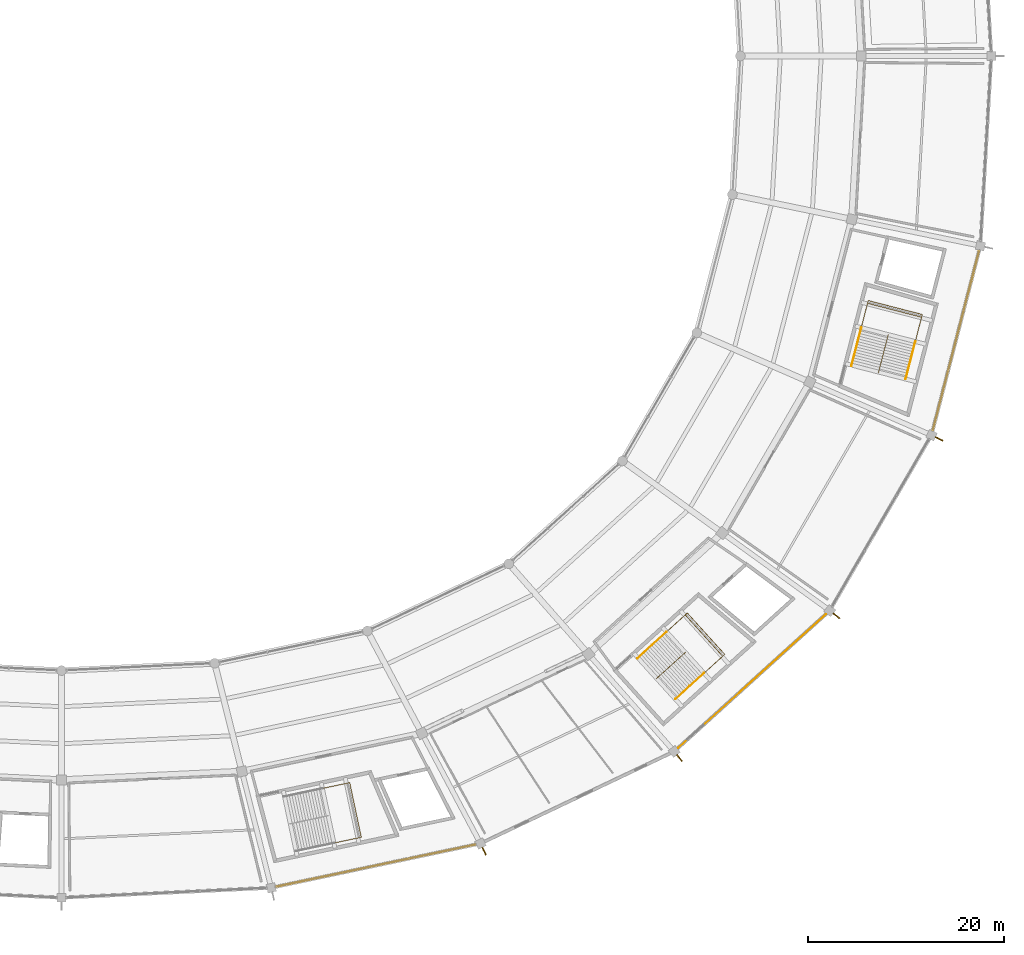
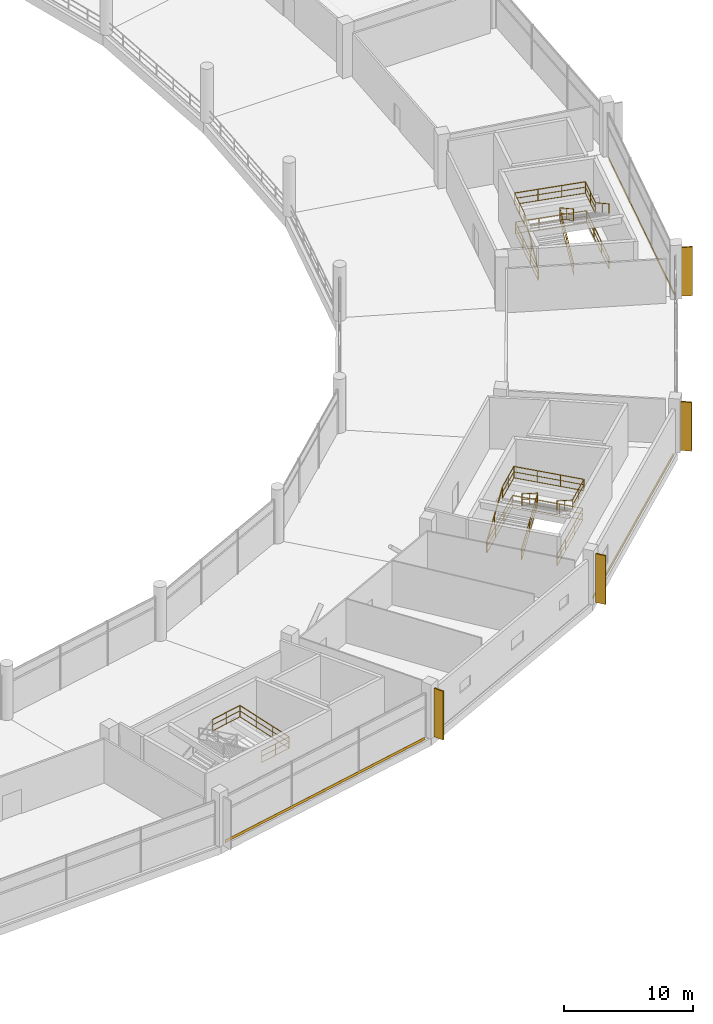
# One storey, part 180 of 184: 11 railings, 4 shading devices, 3 coverings.
"""IFC4 building model written with IfcOpenShell, lengths in metres."""

from ifc_helpers import new_model, si_unit, direction, frame, origin, origin_2d, place, context, subcontext, project, spatial, rectangle, extrude, material, layer, layer_set, type_object, element, save


model = new_model("IFC4")

# Units and contexts
model_context = context("Model", 3, precision=1e-05, world=origin(), true_north=direction((0.0, 1.0)))
body_context = subcontext(model_context, "Body", "Model", "MODEL_VIEW")
ifc_project = project(units=[si_unit("LENGTHUNIT", "METRE"), si_unit("AREAUNIT", "SQUARE_METRE"), si_unit("VOLUMEUNIT", "CUBIC_METRE"), si_unit("PLANEANGLEUNIT", "RADIAN"), si_unit("MASSUNIT", "GRAM", prefix="KILO")], contexts=[model_context])

# Site, building, storey
site_placement = place(None, origin())
site = spatial("IfcSite", under=ifc_project, at=site_placement, CompositionType="ELEMENT")
building_placement = place(site_placement, origin())
building = spatial("IfcBuilding", under=site, at=building_placement, Name="Kazemori Nagisa Stadium", CompositionType="ELEMENT")
storey_placement = place(building_placement, frame((0.0, 0.0, 10.5400390625)))
storey = spatial("IfcBuildingStorey", under=building, at=storey_placement, Name="L02", CompositionType="ELEMENT", Elevation=10.5400390625)

# Coverings
ifc_material_1 = material(Name="Anodised aluminium 6063-T5", Category="aluminium")
ifc_layer = layer(ifc_material_1, 0.034912109375, Name="Anodised aluminium 6063-T5", Category="aluminium")
ifc_layer_set = layer_set([ifc_layer], Name="Anodised aluminium 6063-T5")
covering_type = type_object("IfcCoveringType", Name="Covering_CLAD", PredefinedType="CLADDING", material=ifc_layer_set)
covering_1_placement = place(storey_placement, frame((155.1162109375, 19.2744140625, -0.26025390625), z_axis=(0.0, 0.0, 1.0), x_axis=(0.978344955407, 0.206981033502, 0.0)))
element("IfcCovering", 1, at=covering_1_placement, inside=storey, type_object=covering_type, Name="Anodised fascia cladding L02-B23", PredefinedType="CLADDING", context=body_context, shape_type="SweptSolid", body=[
    extrude(rectangle(XDim=20.750244140625, YDim=0.0400390625, at=origin_2d()), origin(), (0.0, 0.0, 1.0), 0.260009765625),
])
covering_2_placement = place(storey_placement, frame((193.546630859375, 38.13671875, -0.26025390625), z_axis=(0.0, 0.0, 1.0), x_axis=(0.741350875443, 0.671117634607, 0.0)))
element("IfcCovering", 2, at=covering_2_placement, inside=storey, type_object=covering_type, Name="Anodised fascia cladding L02-B25", PredefinedType="CLADDING", context=body_context, shape_type="SweptSolid", body=[
    extrude(rectangle(XDim=20.34375, YDim=0.0400390625, at=origin_2d()), origin(), (0.0, 0.0, 1.0), 0.260009765625),
])
covering_3_placement = place(storey_placement, frame((214.3828125, 72.92626953125, -0.26025390625), z_axis=(0.0, 0.0, 1.0), x_axis=(0.249964642418, 0.968254965152, 0.0)))
element("IfcCovering", 3, at=covering_3_placement, inside=storey, type_object=covering_type, Name="Anodised fascia cladding L02-B27", PredefinedType="CLADDING", context=body_context, shape_type="SweptSolid", body=[
    extrude(rectangle(XDim=18.88623046875, YDim=0.0400390625, at=origin_2d()), origin(), (0.0, 0.0, 1.0), 0.260009765625),
])

# Shading devices
ifc_material_2 = material(Name="Aluminium 6063-T5 anodised", Category="aluminium")
shading_device_type = type_object("IfcShadingDeviceType", Name="Fin_FN02", PredefinedType="USERDEFINED", material=ifc_material_2)
for number, where, z_axis, x_axis, name in (
    (4, (166.17578125, 20.765380859375, 0.0), (0.0, 0.0, 1.0), (0.433883739113, -0.900968867905, 0.0), "Aerodynamic wave shading fin L02-24"),
    (5, (186.131103515625, 30.2724609375, 0.0), (0.0, 0.0, 1.0), (0.623489801853, -0.781831482473, 0.0), "Aerodynamic wave shading fin L02-25"),
    (6, (202.163818359375, 44.79931640625, 0.0), (0.0, 0.0, 1.0), (0.781831482473, -0.623489801853, 0.0), "Aerodynamic wave shading fin L02-26"),
    (7, (212.6552734375, 62.87939453125, 0.0), (0.0, 0.0, 1.0), (0.900968867905, -0.433883739113, 0.0), "Aerodynamic wave shading fin L02-27"),
):
    element("IfcShadingDevice", number, at=place(storey_placement, frame(where, z_axis=z_axis, x_axis=x_axis)), inside=storey, type_object=shading_device_type, Name=name, ObjectType="FIN", PredefinedType="USERDEFINED", context=body_context, shape_type="SweptSolid", body=[
        extrude(rectangle(XDim=0.85009765625, YDim=0.1201171875, at=origin_2d()), origin(), (0.0, 0.0, 1.0), 4.60009765625),
    ])

# Railings
ifc_material_3 = material(Name="Galvanised powder-coated steel", Category="steel")
railing_type_1 = type_object("IfcRailingType", Name="Rail_GUARD", PredefinedType="GUARDRAIL", material=ifc_material_3)
railing_1_placement = place(storey_placement, frame((149.651123046875, 27.1728515625, 2.550048828125)))
element("IfcRailing", 8, at=railing_1_placement, inside=storey, type_object=railing_type_1, Name="Stair landing guard ST06-L02", PredefinedType="GUARDRAIL", context=body_context, shape_type="SweptSolid", body=[
    extrude(rectangle(XDim=0.050048828125, YDim=0.050048828125, at=origin_2d()), frame((0.0, 0.0, 1.09521484375), z_axis=(0.978349369565, 0.206960167837, 0.0), x_axis=(-0.206960167837, 0.978349369565, 0.0)), (0.0, 0.0, 1.0), 2.85009765625),
    extrude(rectangle(XDim=0.03759765625, YDim=0.03759765625, at=origin_2d()), frame((0.0, 0.0, 0.58251953125), z_axis=(0.978349369565, 0.206960167837, 0.0), x_axis=(-0.206960167837, 0.978349369565, 0.0)), (0.0, 0.0, 1.0), 2.85009765625),
    extrude(rectangle(XDim=0.03759765625, YDim=0.03759765625, at=origin_2d()), frame((0.0, 0.0, 0.02490234375), z_axis=(0.978349369565, 0.206960167837, 0.0), x_axis=(-0.206960167837, 0.978349369565, 0.0)), (0.0, 0.0, 1.0), 2.85009765625),
    extrude(rectangle(XDim=0.050048828125, YDim=0.050048828125, at=origin_2d()), frame((2.788330078125, 0.58984375, 1.09521484375), z_axis=(0.206960167837, -0.978349369565, 0.0), x_axis=(0.978349369565, 0.206960167837, 0.0)), (0.0, 0.0, 1.0), 5.699951171875),
    extrude(rectangle(XDim=0.03759765625, YDim=0.03759765625, at=origin_2d()), frame((2.788330078125, 0.58984375, 0.58251953125), z_axis=(0.206960167837, -0.978349369565, 0.0), x_axis=(0.978349369565, 0.206960167837, 0.0)), (0.0, 0.0, 1.0), 5.699951171875),
    extrude(rectangle(XDim=0.03759765625, YDim=0.03759765625, at=origin_2d()), frame((2.788330078125, 0.58984375, 0.02490234375), z_axis=(0.206960167837, -0.978349369565, 0.0), x_axis=(0.978349369565, 0.206960167837, 0.0)), (0.0, 0.0, 1.0), 5.699951171875),
    extrude(rectangle(XDim=0.050048828125, YDim=0.050048828125, at=origin_2d()), frame((3.968017578125, -4.98681640625, 1.09521484375), z_axis=(-0.978345699972, -0.20697751411, 0.0), x_axis=(0.20697751411, -0.978345699972, 0.0)), (0.0, 0.0, 1.0), 2.849853515625),
    extrude(rectangle(XDim=0.03759765625, YDim=0.03759765625, at=origin_2d()), frame((3.968017578125, -4.98681640625, 0.58251953125), z_axis=(-0.978345699972, -0.20697751411, 0.0), x_axis=(0.20697751411, -0.978345699972, 0.0)), (0.0, 0.0, 1.0), 2.849853515625),
    extrude(rectangle(XDim=0.03759765625, YDim=0.03759765625, at=origin_2d()), frame((3.968017578125, -4.98681640625, 0.02490234375), z_axis=(-0.978345699972, -0.20697751411, 0.0), x_axis=(0.20697751411, -0.978345699972, 0.0)), (0.0, 0.0, 1.0), 2.849853515625),
    extrude(rectangle(XDim=0.044921875, YDim=0.044921875, at=origin_2d()), origin(), (0.0, 0.0, 1.0), 1.070068359375),
    extrude(rectangle(XDim=0.044921875, YDim=0.044921875, at=origin_2d()), frame((1.39404296875, 0.294921875, 0.0)), (0.0, 0.0, 1.0), 1.070068359375),
    extrude(rectangle(XDim=0.044921875, YDim=0.044921875, at=origin_2d()), frame((2.788330078125, 0.58984375, 0.0)), (0.0, 0.0, 1.0), 1.070068359375),
    extrude(rectangle(XDim=0.044921875, YDim=0.044921875, at=origin_2d()), frame((3.181640625, -1.26904296875, 0.0)), (0.0, 0.0, 1.0), 1.070068359375),
    extrude(rectangle(XDim=0.044921875, YDim=0.044921875, at=origin_2d()), frame((3.57470703125, -3.1279296875, 0.0)), (0.0, 0.0, 1.0), 1.070068359375),
    extrude(rectangle(XDim=0.044921875, YDim=0.044921875, at=origin_2d()), frame((3.968017578125, -4.98681640625, 0.0)), (0.0, 0.0, 1.0), 1.070068359375),
    extrude(rectangle(XDim=0.044921875, YDim=0.044921875, at=origin_2d()), frame((2.573974609375, -5.28173828125, 0.0)), (0.0, 0.0, 1.0), 1.070068359375),
    extrude(rectangle(XDim=0.044921875, YDim=0.044921875, at=origin_2d()), frame((1.179931640625, -5.57666015625, 0.0)), (0.0, 0.0, 1.0), 1.070068359375),
])
railing_2_placement = place(storey_placement, frame((181.87890625, 40.5205078125, 0.0)))
element("IfcRailing", 9, at=railing_2_placement, inside=storey, type_object=railing_type_1, Name="Stair well perimeter guard ST04-L02", PredefinedType="GUARDRAIL", context=body_context, shape_type="SweptSolid", body=[
    extrude(rectangle(XDim=0.050048828125, YDim=0.050048828125, at=origin_2d()), frame((0.0, 0.0, 1.09521484375), z_axis=(0.741331867292, 0.671138631385, 0.0), x_axis=(-0.671138631385, 0.741331867292, 0.0)), (0.0, 0.0, 1.0), 6.52490234375),
    extrude(rectangle(XDim=0.03759765625, YDim=0.03759765625, at=origin_2d()), frame((0.0, 0.0, 0.58251953125), z_axis=(0.741331867292, 0.671138631385, 0.0), x_axis=(-0.671138631385, 0.741331867292, 0.0)), (0.0, 0.0, 1.0), 6.52490234375),
    extrude(rectangle(XDim=0.03759765625, YDim=0.03759765625, at=origin_2d()), frame((0.0, 0.0, 0.02490234375), z_axis=(0.741331867292, 0.671138631385, 0.0), x_axis=(-0.671138631385, 0.741331867292, 0.0)), (0.0, 0.0, 1.0), 6.52490234375),
    extrude(rectangle(XDim=0.050048828125, YDim=0.050048828125, at=origin_2d()), frame((4.837158203125, 4.379150390625, 1.09521484375), z_axis=(0.671112926645, -0.74135513736, 0.0), x_axis=(0.74135513736, 0.671112926645, 0.0)), (0.0, 0.0, 1.0), 5.7001953125),
    extrude(rectangle(XDim=0.03759765625, YDim=0.03759765625, at=origin_2d()), frame((4.837158203125, 4.379150390625, 0.58251953125), z_axis=(0.671112926645, -0.74135513736, 0.0), x_axis=(0.74135513736, 0.671112926645, 0.0)), (0.0, 0.0, 1.0), 5.7001953125),
    extrude(rectangle(XDim=0.03759765625, YDim=0.03759765625, at=origin_2d()), frame((4.837158203125, 4.379150390625, 0.02490234375), z_axis=(0.671112926645, -0.74135513736, 0.0), x_axis=(0.74135513736, 0.671112926645, 0.0)), (0.0, 0.0, 1.0), 5.7001953125),
    extrude(rectangle(XDim=0.050048828125, YDim=0.050048828125, at=origin_2d()), frame((8.66259765625, 0.1533203125, 1.09521484375), z_axis=(-0.741367335581, -0.671099451448, 0.0), x_axis=(0.671099451448, -0.741367335581, 0.0)), (0.0, 0.0, 1.0), 6.52490234375),
    extrude(rectangle(XDim=0.03759765625, YDim=0.03759765625, at=origin_2d()), frame((8.66259765625, 0.1533203125, 0.58251953125), z_axis=(-0.741367335581, -0.671099451448, 0.0), x_axis=(0.671099451448, -0.741367335581, 0.0)), (0.0, 0.0, 1.0), 6.52490234375),
    extrude(rectangle(XDim=0.03759765625, YDim=0.03759765625, at=origin_2d()), frame((8.66259765625, 0.1533203125, 0.02490234375), z_axis=(-0.741367335581, -0.671099451448, 0.0), x_axis=(0.671099451448, -0.741367335581, 0.0)), (0.0, 0.0, 1.0), 6.52490234375),
    extrude(rectangle(XDim=0.044921875, YDim=0.044921875, at=origin_2d()), origin(), (0.0, 0.0, 1.0), 1.070068359375),
    extrude(rectangle(XDim=0.044921875, YDim=0.044921875, at=origin_2d()), frame((1.6123046875, 1.459716796875, 0.0)), (0.0, 0.0, 1.0), 1.070068359375),
    extrude(rectangle(XDim=0.044921875, YDim=0.044921875, at=origin_2d()), frame((3.224853515625, 2.91943359375, 0.0)), (0.0, 0.0, 1.0), 1.070068359375),
    extrude(rectangle(XDim=0.044921875, YDim=0.044921875, at=origin_2d()), frame((4.837158203125, 4.379150390625, 0.0)), (0.0, 0.0, 1.0), 1.070068359375),
    extrude(rectangle(XDim=0.044921875, YDim=0.044921875, at=origin_2d()), frame((6.1123046875, 2.970458984375, 0.0)), (0.0, 0.0, 1.0), 1.070068359375),
    extrude(rectangle(XDim=0.044921875, YDim=0.044921875, at=origin_2d()), frame((7.387451171875, 1.56201171875, 0.0)), (0.0, 0.0, 1.0), 1.070068359375),
    extrude(rectangle(XDim=0.044921875, YDim=0.044921875, at=origin_2d()), frame((8.66259765625, 0.1533203125, 0.0)), (0.0, 0.0, 1.0), 1.070068359375),
    extrude(rectangle(XDim=0.044921875, YDim=0.044921875, at=origin_2d()), frame((7.050048828125, -1.306396484375, 0.0)), (0.0, 0.0, 1.0), 1.070068359375),
    extrude(rectangle(XDim=0.044921875, YDim=0.044921875, at=origin_2d()), frame((5.437744140625, -2.765869140625, 0.0)), (0.0, 0.0, 1.0), 1.070068359375),
    extrude(rectangle(XDim=0.044921875, YDim=0.044921875, at=origin_2d()), frame((3.8251953125, -4.2255859375, 0.0)), (0.0, 0.0, 1.0), 1.070068359375),
])
railing_3_placement = place(storey_placement, frame((183.732177734375, 38.35400390625, 0.0)))
element("IfcRailing", 10, at=railing_3_placement, inside=storey, type_object=railing_type_1, Name="Stair central guard ST04-L02", PredefinedType="GUARDRAIL", context=body_context, shape_type="SweptSolid", body=[
    extrude(rectangle(XDim=0.050048828125, YDim=0.050048828125, at=origin_2d()), frame((0.0, 0.0, 1.09521484375), z_axis=(0.62691046186, 0.5675307784, 0.533752834539), x_axis=(-0.671125325747, 0.741343912864, 0.0)), (0.0, 0.0, 1.0), 4.777587890625),
    extrude(rectangle(XDim=0.03759765625, YDim=0.03759765625, at=origin_2d()), frame((0.0, 0.0, 0.58251953125), z_axis=(0.62691046186, 0.5675307784, 0.533752834539), x_axis=(-0.671125325747, 0.741343912864, 0.0)), (0.0, 0.0, 1.0), 4.777587890625),
    extrude(rectangle(XDim=0.03759765625, YDim=0.03759765625, at=origin_2d()), frame((0.0, 0.0, 0.02490234375), z_axis=(0.62691046186, 0.5675307784, 0.533752834539), x_axis=(-0.671125325747, 0.741343912864, 0.0)), (0.0, 0.0, 1.0), 4.777587890625),
    extrude(rectangle(XDim=0.050048828125, YDim=0.050048828125, at=origin_2d()), frame((2.9951171875, 2.71142578125, 3.64501953125), z_axis=(-0.623314113675, -0.564274215506, 0.541363210247), x_axis=(0.671124767853, -0.741344417916, 0.0)), (0.0, 0.0, 1.0), 4.7099609375),
    extrude(rectangle(XDim=0.03759765625, YDim=0.03759765625, at=origin_2d()), frame((2.9951171875, 2.71142578125, 3.132568359375), z_axis=(-0.623314113675, -0.564274215506, 0.541363210247), x_axis=(0.671124767853, -0.741344417916, 0.0)), (0.0, 0.0, 1.0), 4.7099609375),
    extrude(rectangle(XDim=0.03759765625, YDim=0.03759765625, at=origin_2d()), frame((2.9951171875, 2.71142578125, 2.5751953125), z_axis=(-0.623314113675, -0.564274215506, 0.541363210247), x_axis=(0.671124767853, -0.741344417916, 0.0)), (0.0, 0.0, 1.0), 4.7099609375),
    extrude(rectangle(XDim=0.044921875, YDim=0.044921875, at=origin_2d()), origin(), (0.0, 0.0, 1.0), 1.070068359375),
    extrude(rectangle(XDim=0.044921875, YDim=0.044921875, at=origin_2d()), frame((1.49755859375, 1.355712890625, 1.27490234375)), (0.0, 0.0, 1.0), 1.070068359375),
    extrude(rectangle(XDim=0.044921875, YDim=0.044921875, at=origin_2d()), frame((2.9951171875, 2.71142578125, 2.550048828125)), (0.0, 0.0, 1.0), 1.070068359375),
    extrude(rectangle(XDim=0.044921875, YDim=0.044921875, at=origin_2d()), frame((1.52734375, 1.382568359375, 3.824951171875)), (0.0, 0.0, 1.0), 1.070068359375),
    extrude(rectangle(XDim=0.044921875, YDim=0.044921875, at=origin_2d()), frame((0.059326171875, 0.0537109375, 5.099853515625)), (0.0, 0.0, 1.0), 1.070068359375),
])
railing_4_placement = place(storey_placement, frame((184.814453125, 43.17822265625, 2.550048828125)))
element("IfcRailing", 11, at=railing_4_placement, inside=storey, type_object=railing_type_1, Name="Stair landing guard ST04-L02", PredefinedType="GUARDRAIL", context=body_context, shape_type="SweptSolid", body=[
    extrude(rectangle(XDim=0.050048828125, YDim=0.050048828125, at=origin_2d()), frame((0.0, 0.0, 1.09521484375), z_axis=(0.741395736118, 0.671068075881, 0.0), x_axis=(-0.671068075881, 0.741395736118, 0.0)), (0.0, 0.0, 1.0), 2.85009765625),
    extrude(rectangle(XDim=0.03759765625, YDim=0.03759765625, at=origin_2d()), frame((0.0, 0.0, 0.58251953125), z_axis=(0.741395736118, 0.671068075881, 0.0), x_axis=(-0.671068075881, 0.741395736118, 0.0)), (0.0, 0.0, 1.0), 2.85009765625),
    extrude(rectangle(XDim=0.03759765625, YDim=0.03759765625, at=origin_2d()), frame((0.0, 0.0, 0.02490234375), z_axis=(0.741395736118, 0.671068075881, 0.0), x_axis=(-0.671068075881, 0.741395736118, 0.0)), (0.0, 0.0, 1.0), 2.85009765625),
    extrude(rectangle(XDim=0.050048828125, YDim=0.050048828125, at=origin_2d()), frame((2.113037109375, 1.91259765625, 1.09521484375), z_axis=(0.671110696127, -0.741357156534, 0.0), x_axis=(0.741357156534, 0.671110696127, 0.0)), (0.0, 0.0, 1.0), 5.69970703125),
    extrude(rectangle(XDim=0.03759765625, YDim=0.03759765625, at=origin_2d()), frame((2.113037109375, 1.91259765625, 0.58251953125), z_axis=(0.671110696127, -0.741357156534, 0.0), x_axis=(0.741357156534, 0.671110696127, 0.0)), (0.0, 0.0, 1.0), 5.69970703125),
    extrude(rectangle(XDim=0.03759765625, YDim=0.03759765625, at=origin_2d()), frame((2.113037109375, 1.91259765625, 0.02490234375), z_axis=(0.671110696127, -0.741357156534, 0.0), x_axis=(0.741357156534, 0.671110696127, 0.0)), (0.0, 0.0, 1.0), 5.69970703125),
    extrude(rectangle(XDim=0.050048828125, YDim=0.050048828125, at=origin_2d()), frame((5.938232421875, -2.31298828125, 1.09521484375), z_axis=(-0.741314535645, -0.671157775223, 0.0), x_axis=(0.671157775223, -0.741314535645, 0.0)), (0.0, 0.0, 1.0), 2.85009765625),
    extrude(rectangle(XDim=0.03759765625, YDim=0.03759765625, at=origin_2d()), frame((5.938232421875, -2.31298828125, 0.58251953125), z_axis=(-0.741314535645, -0.671157775223, 0.0), x_axis=(0.671157775223, -0.741314535645, 0.0)), (0.0, 0.0, 1.0), 2.85009765625),
    extrude(rectangle(XDim=0.03759765625, YDim=0.03759765625, at=origin_2d()), frame((5.938232421875, -2.31298828125, 0.02490234375), z_axis=(-0.741314535645, -0.671157775223, 0.0), x_axis=(0.671157775223, -0.741314535645, 0.0)), (0.0, 0.0, 1.0), 2.85009765625),
    extrude(rectangle(XDim=0.044921875, YDim=0.044921875, at=origin_2d()), origin(), (0.0, 0.0, 1.0), 1.070068359375),
    extrude(rectangle(XDim=0.044921875, YDim=0.044921875, at=origin_2d()), frame((1.056640625, 0.956298828125, 0.0)), (0.0, 0.0, 1.0), 1.070068359375),
    extrude(rectangle(XDim=0.044921875, YDim=0.044921875, at=origin_2d()), frame((2.113037109375, 1.91259765625, 0.0)), (0.0, 0.0, 1.0), 1.070068359375),
    extrude(rectangle(XDim=0.044921875, YDim=0.044921875, at=origin_2d()), frame((3.38818359375, 0.504150390625, 0.0)), (0.0, 0.0, 1.0), 1.070068359375),
    extrude(rectangle(XDim=0.044921875, YDim=0.044921875, at=origin_2d()), frame((4.6630859375, -0.904541015625, 0.0)), (0.0, 0.0, 1.0), 1.070068359375),
    extrude(rectangle(XDim=0.044921875, YDim=0.044921875, at=origin_2d()), frame((5.938232421875, -2.31298828125, 0.0)), (0.0, 0.0, 1.0), 1.070068359375),
    extrude(rectangle(XDim=0.044921875, YDim=0.044921875, at=origin_2d()), frame((4.8818359375, -3.26953125, 0.0)), (0.0, 0.0, 1.0), 1.070068359375),
    extrude(rectangle(XDim=0.044921875, YDim=0.044921875, at=origin_2d()), frame((3.825439453125, -4.225830078125, 0.0)), (0.0, 0.0, 1.0), 1.070068359375),
])
railing_5_placement = place(storey_placement, frame((203.708740234375, 70.41650390625, 0.0)))
element("IfcRailing", 12, at=railing_5_placement, inside=storey, type_object=railing_type_1, Name="Stair well perimeter guard ST10-L02", PredefinedType="GUARDRAIL", context=body_context, shape_type="SweptSolid", body=[
    extrude(rectangle(XDim=0.050048828125, YDim=0.050048828125, at=origin_2d()), frame((0.0, 0.0, 1.09521484375), z_axis=(0.249941389051, 0.968260967942, 0.0), x_axis=(-0.968260967942, 0.249941389051, 0.0)), (0.0, 0.0, 1.0), 6.52490234375),
    extrude(rectangle(XDim=0.03759765625, YDim=0.03759765625, at=origin_2d()), frame((0.0, 0.0, 0.58251953125), z_axis=(0.249941389051, 0.968260967942, 0.0), x_axis=(-0.968260967942, 0.249941389051, 0.0)), (0.0, 0.0, 1.0), 6.52490234375),
    extrude(rectangle(XDim=0.03759765625, YDim=0.03759765625, at=origin_2d()), frame((0.0, 0.0, 0.02490234375), z_axis=(0.249941389051, 0.968260967942, 0.0), x_axis=(-0.968260967942, 0.249941389051, 0.0)), (0.0, 0.0, 1.0), 6.52490234375),
    extrude(rectangle(XDim=0.050048828125, YDim=0.050048828125, at=origin_2d()), frame((1.630859375, 6.31787109375, 1.09521484375), z_axis=(0.968257263626, -0.249955738953, 0.0), x_axis=(0.249955738953, 0.968257263626, 0.0)), (0.0, 0.0, 1.0), 5.7001953125),
    extrude(rectangle(XDim=0.03759765625, YDim=0.03759765625, at=origin_2d()), frame((1.630859375, 6.31787109375, 0.58251953125), z_axis=(0.968257263626, -0.249955738953, 0.0), x_axis=(0.249955738953, 0.968257263626, 0.0)), (0.0, 0.0, 1.0), 5.7001953125),
    extrude(rectangle(XDim=0.03759765625, YDim=0.03759765625, at=origin_2d()), frame((1.630859375, 6.31787109375, 0.02490234375), z_axis=(0.968257263626, -0.249955738953, 0.0), x_axis=(0.249955738953, 0.968257263626, 0.0)), (0.0, 0.0, 1.0), 5.7001953125),
    extrude(rectangle(XDim=0.050048828125, YDim=0.050048828125, at=origin_2d()), frame((7.150146484375, 4.89306640625, 1.09521484375), z_axis=(-0.249976467507, -0.96825191231, 0.0), x_axis=(0.96825191231, -0.249976467507, 0.0)), (0.0, 0.0, 1.0), 6.525146484375),
    extrude(rectangle(XDim=0.03759765625, YDim=0.03759765625, at=origin_2d()), frame((7.150146484375, 4.89306640625, 0.58251953125), z_axis=(-0.249976467507, -0.96825191231, 0.0), x_axis=(0.96825191231, -0.249976467507, 0.0)), (0.0, 0.0, 1.0), 6.525146484375),
    extrude(rectangle(XDim=0.03759765625, YDim=0.03759765625, at=origin_2d()), frame((7.150146484375, 4.89306640625, 0.02490234375), z_axis=(-0.249976467507, -0.96825191231, 0.0), x_axis=(0.96825191231, -0.249976467507, 0.0)), (0.0, 0.0, 1.0), 6.525146484375),
    extrude(rectangle(XDim=0.044921875, YDim=0.044921875, at=origin_2d()), origin(), (0.0, 0.0, 1.0), 1.070068359375),
    extrude(rectangle(XDim=0.044921875, YDim=0.044921875, at=origin_2d()), frame((0.543701171875, 2.10595703125, 0.0)), (0.0, 0.0, 1.0), 1.070068359375),
    extrude(rectangle(XDim=0.044921875, YDim=0.044921875, at=origin_2d()), frame((1.087158203125, 4.2119140625, 0.0)), (0.0, 0.0, 1.0), 1.070068359375),
    extrude(rectangle(XDim=0.044921875, YDim=0.044921875, at=origin_2d()), frame((1.630859375, 6.31787109375, 0.0)), (0.0, 0.0, 1.0), 1.070068359375),
    extrude(rectangle(XDim=0.044921875, YDim=0.044921875, at=origin_2d()), frame((3.470703125, 5.843017578125, 0.0)), (0.0, 0.0, 1.0), 1.070068359375),
    extrude(rectangle(XDim=0.044921875, YDim=0.044921875, at=origin_2d()), frame((5.310302734375, 5.367919921875, 0.0)), (0.0, 0.0, 1.0), 1.070068359375),
    extrude(rectangle(XDim=0.044921875, YDim=0.044921875, at=origin_2d()), frame((7.150146484375, 4.89306640625, 0.0)), (0.0, 0.0, 1.0), 1.070068359375),
    extrude(rectangle(XDim=0.044921875, YDim=0.044921875, at=origin_2d()), frame((6.6064453125, 2.787109375, 0.0)), (0.0, 0.0, 1.0), 1.070068359375),
    extrude(rectangle(XDim=0.044921875, YDim=0.044921875, at=origin_2d()), frame((6.062744140625, 0.68115234375, 0.0)), (0.0, 0.0, 1.0), 1.070068359375),
    extrude(rectangle(XDim=0.044921875, YDim=0.044921875, at=origin_2d()), frame((5.51904296875, -1.4248046875, 0.0)), (0.0, 0.0, 1.0), 1.070068359375),
])
railing_6_placement = place(storey_placement, frame((206.4482421875, 69.626708984375, 0.0)))
element("IfcRailing", 13, at=railing_6_placement, inside=storey, type_object=railing_type_1, Name="Stair central guard ST10-L02", PredefinedType="GUARDRAIL", context=body_context, shape_type="SweptSolid", body=[
    extrude(rectangle(XDim=0.050048828125, YDim=0.050048828125, at=origin_2d()), frame((0.0, 0.0, 1.09521484375), z_axis=(0.211364837529, 0.818783227004, 0.533777980655), x_axis=(-0.968258454043, 0.24995112757, 0.0)), (0.0, 0.0, 1.0), 4.77734375),
    extrude(rectangle(XDim=0.03759765625, YDim=0.03759765625, at=origin_2d()), frame((0.0, 0.0, 0.58251953125), z_axis=(0.211364837529, 0.818783227004, 0.533777980655), x_axis=(-0.968258454043, 0.24995112757, 0.0)), (0.0, 0.0, 1.0), 4.77734375),
    extrude(rectangle(XDim=0.03759765625, YDim=0.03759765625, at=origin_2d()), frame((0.0, 0.0, 0.02490234375), z_axis=(0.211364837529, 0.818783227004, 0.533777980655), x_axis=(-0.968258454043, 0.24995112757, 0.0)), (0.0, 0.0, 1.0), 4.77734375),
    extrude(rectangle(XDim=0.050048828125, YDim=0.050048828125, at=origin_2d()), frame((1.009765625, 3.91162109375, 3.64501953125), z_axis=(-0.210145181516, -0.81409227324, 0.541380433093), x_axis=(0.968260961023, -0.249941415854, 0.0)), (0.0, 0.0, 1.0), 4.709716796875),
    extrude(rectangle(XDim=0.03759765625, YDim=0.03759765625, at=origin_2d()), frame((1.009765625, 3.91162109375, 3.132568359375), z_axis=(-0.210145181516, -0.81409227324, 0.541380433093), x_axis=(0.968260961023, -0.249941415854, 0.0)), (0.0, 0.0, 1.0), 4.709716796875),
    extrude(rectangle(XDim=0.03759765625, YDim=0.03759765625, at=origin_2d()), frame((1.009765625, 3.91162109375, 2.5751953125), z_axis=(-0.210145181516, -0.81409227324, 0.541380433093), x_axis=(0.968260961023, -0.249941415854, 0.0)), (0.0, 0.0, 1.0), 4.709716796875),
    extrude(rectangle(XDim=0.044921875, YDim=0.044921875, at=origin_2d()), origin(), (0.0, 0.0, 1.0), 1.070068359375),
    extrude(rectangle(XDim=0.044921875, YDim=0.044921875, at=origin_2d()), frame((0.5048828125, 1.955810546875, 1.27490234375)), (0.0, 0.0, 1.0), 1.070068359375),
    extrude(rectangle(XDim=0.044921875, YDim=0.044921875, at=origin_2d()), frame((1.009765625, 3.91162109375, 2.550048828125)), (0.0, 0.0, 1.0), 1.070068359375),
    extrude(rectangle(XDim=0.044921875, YDim=0.044921875, at=origin_2d()), frame((0.514892578125, 1.99462890625, 3.824951171875)), (0.0, 0.0, 1.0), 1.070068359375),
    extrude(rectangle(XDim=0.044921875, YDim=0.044921875, at=origin_2d()), frame((0.02001953125, 0.077392578125, 5.099853515625)), (0.0, 0.0, 1.0), 1.070068359375),
])
railing_7_placement = place(storey_placement, frame((204.698486328125, 74.250732421875, 2.550048828125)))
element("IfcRailing", 14, at=railing_7_placement, inside=storey, type_object=railing_type_1, Name="Stair landing guard ST10-L02", PredefinedType="GUARDRAIL", context=body_context, shape_type="SweptSolid", body=[
    extrude(rectangle(XDim=0.050048828125, YDim=0.050048828125, at=origin_2d()), frame((0.0, 0.0, 1.09521484375), z_axis=(0.249966105142, 0.968254587534, 0.0), x_axis=(-0.968254587534, 0.249966105142, 0.0)), (0.0, 0.0, 1.0), 2.85009765625),
    extrude(rectangle(XDim=0.03759765625, YDim=0.03759765625, at=origin_2d()), frame((0.0, 0.0, 0.58251953125), z_axis=(0.249966105142, 0.968254587534, 0.0), x_axis=(-0.968254587534, 0.249966105142, 0.0)), (0.0, 0.0, 1.0), 2.85009765625),
    extrude(rectangle(XDim=0.03759765625, YDim=0.03759765625, at=origin_2d()), frame((0.0, 0.0, 0.02490234375), z_axis=(0.249966105142, 0.968254587534, 0.0), x_axis=(-0.968254587534, 0.249966105142, 0.0)), (0.0, 0.0, 1.0), 2.85009765625),
    extrude(rectangle(XDim=0.050048828125, YDim=0.050048828125, at=origin_2d()), frame((0.71240234375, 2.759521484375, 1.09521484375), z_axis=(0.968254587534, -0.249966105142, 0.0), x_axis=(0.249966105142, 0.968254587534, 0.0)), (0.0, 0.0, 1.0), 5.699951171875),
    extrude(rectangle(XDim=0.03759765625, YDim=0.03759765625, at=origin_2d()), frame((0.71240234375, 2.759521484375, 0.58251953125), z_axis=(0.968254587534, -0.249966105142, 0.0), x_axis=(0.249966105142, 0.968254587534, 0.0)), (0.0, 0.0, 1.0), 5.699951171875),
    extrude(rectangle(XDim=0.03759765625, YDim=0.03759765625, at=origin_2d()), frame((0.71240234375, 2.759521484375, 0.02490234375), z_axis=(0.968254587534, -0.249966105142, 0.0), x_axis=(0.249966105142, 0.968254587534, 0.0)), (0.0, 0.0, 1.0), 5.699951171875),
    extrude(rectangle(XDim=0.050048828125, YDim=0.050048828125, at=origin_2d()), frame((6.2314453125, 1.334716796875, 1.09521484375), z_axis=(-0.249966105142, -0.968254587534, 0.0), x_axis=(0.968254587534, -0.249966105142, 0.0)), (0.0, 0.0, 1.0), 2.85009765625),
    extrude(rectangle(XDim=0.03759765625, YDim=0.03759765625, at=origin_2d()), frame((6.2314453125, 1.334716796875, 0.58251953125), z_axis=(-0.249966105142, -0.968254587534, 0.0), x_axis=(0.968254587534, -0.249966105142, 0.0)), (0.0, 0.0, 1.0), 2.85009765625),
    extrude(rectangle(XDim=0.03759765625, YDim=0.03759765625, at=origin_2d()), frame((6.2314453125, 1.334716796875, 0.02490234375), z_axis=(-0.249966105142, -0.968254587534, 0.0), x_axis=(0.968254587534, -0.249966105142, 0.0)), (0.0, 0.0, 1.0), 2.85009765625),
    extrude(rectangle(XDim=0.044921875, YDim=0.044921875, at=origin_2d()), origin(), (0.0, 0.0, 1.0), 1.070068359375),
    extrude(rectangle(XDim=0.044921875, YDim=0.044921875, at=origin_2d()), frame((0.356201171875, 1.3798828125, 0.0)), (0.0, 0.0, 1.0), 1.070068359375),
    extrude(rectangle(XDim=0.044921875, YDim=0.044921875, at=origin_2d()), frame((0.71240234375, 2.759521484375, 0.0)), (0.0, 0.0, 1.0), 1.070068359375),
    extrude(rectangle(XDim=0.044921875, YDim=0.044921875, at=origin_2d()), frame((2.552001953125, 2.28466796875, 0.0)), (0.0, 0.0, 1.0), 1.070068359375),
    extrude(rectangle(XDim=0.044921875, YDim=0.044921875, at=origin_2d()), frame((4.391845703125, 1.8095703125, 0.0)), (0.0, 0.0, 1.0), 1.070068359375),
    extrude(rectangle(XDim=0.044921875, YDim=0.044921875, at=origin_2d()), frame((6.2314453125, 1.334716796875, 0.0)), (0.0, 0.0, 1.0), 1.070068359375),
    extrude(rectangle(XDim=0.044921875, YDim=0.044921875, at=origin_2d()), frame((5.875244140625, -0.044921875, 0.0)), (0.0, 0.0, 1.0), 1.070068359375),
    extrude(rectangle(XDim=0.044921875, YDim=0.044921875, at=origin_2d()), frame((5.51904296875, -1.4248046875, 0.0)), (0.0, 0.0, 1.0), 1.070068359375),
])
ifc_material_4 = material(Name="Stainless steel SUS304", Category="steel")
railing_type_2 = type_object("IfcRailingType", Name="Rail_HAND", PredefinedType="HANDRAIL", material=ifc_material_4)
railing_8_placement = place(storey_placement, frame((181.819580078125, 40.466796875, 0.169921875)))
element("IfcRailing", 15, at=railing_8_placement, inside=storey, type_object=railing_type_2, Name="Stair handrail ST04-L02-F1", PredefinedType="HANDRAIL", context=body_context, shape_type="SweptSolid", body=[
    extrude(rectangle(XDim=0.050048828125, YDim=0.050048828125, at=origin_2d()), frame((0.0, 0.0, 0.875), z_axis=(0.626879442749, 0.567548959907, 0.53376993393), x_axis=(-0.671155392103, 0.741316693223, 0.0)), (0.0, 0.0, 1.0), 4.77734375),
    extrude(rectangle(XDim=0.044921875, YDim=0.044921875, at=origin_2d()), origin(), (0.0, 0.0, 1.0), 0.849853515625),
    extrude(rectangle(XDim=0.044921875, YDim=0.044921875, at=origin_2d()), frame((1.49755859375, 1.355712890625, 1.27490234375)), (0.0, 0.0, 1.0), 0.849853515625),
    extrude(rectangle(XDim=0.044921875, YDim=0.044921875, at=origin_2d()), frame((2.994873046875, 2.71142578125, 2.550048828125)), (0.0, 0.0, 1.0), 0.849853515625),
])
railing_9_placement = place(storey_placement, frame((188.639892578125, 38.952392578125, 2.719970703125)))
element("IfcRailing", 16, at=railing_9_placement, inside=storey, type_object=railing_type_2, Name="Stair handrail ST04-L02-F2", PredefinedType="HANDRAIL", context=body_context, shape_type="SweptSolid", body=[
    extrude(rectangle(XDim=0.050048828125, YDim=0.050048828125, at=origin_2d()), frame((0.0, 0.0, 0.875), z_axis=(-0.623314852242, -0.564223049202, 0.541415686625), x_axis=(0.671090883286, -0.74137509155, 0.0)), (0.0, 0.0, 1.0), 4.7099609375),
    extrude(rectangle(XDim=0.044921875, YDim=0.044921875, at=origin_2d()), origin(), (0.0, 0.0, 1.0), 0.849853515625),
    extrude(rectangle(XDim=0.044921875, YDim=0.044921875, at=origin_2d()), frame((-1.4677734375, -1.32861328125, 1.27490234375)), (0.0, 0.0, 1.0), 0.849853515625),
    extrude(rectangle(XDim=0.044921875, YDim=0.044921875, at=origin_2d()), frame((-2.935791015625, -2.657470703125, 2.550048828125)), (0.0, 0.0, 1.0), 0.849853515625),
])
railing_10_placement = place(storey_placement, frame((203.688720703125, 70.3388671875, 0.169921875)))
element("IfcRailing", 17, at=railing_10_placement, inside=storey, type_object=railing_type_2, Name="Stair handrail ST10-L02-F1", PredefinedType="HANDRAIL", context=body_context, shape_type="SweptSolid", body=[
    extrude(rectangle(XDim=0.050048828125, YDim=0.050048828125, at=origin_2d()), frame((0.0, 0.0, 0.875), z_axis=(0.211355993703, 0.818800069416, 0.533755646574), x_axis=(-0.968262229302, 0.249936502552, 0.0)), (0.0, 0.0, 1.0), 4.777587890625),
    extrude(rectangle(XDim=0.044921875, YDim=0.044921875, at=origin_2d()), origin(), (0.0, 0.0, 1.0), 0.849853515625),
    extrude(rectangle(XDim=0.044921875, YDim=0.044921875, at=origin_2d()), frame((0.5048828125, 1.9560546875, 1.27490234375)), (0.0, 0.0, 1.0), 0.849853515625),
    extrude(rectangle(XDim=0.044921875, YDim=0.044921875, at=origin_2d()), frame((1.009765625, 3.911865234375, 2.550048828125)), (0.0, 0.0, 1.0), 0.849853515625),
])
railing_11_placement = place(storey_placement, frame((210.217529296875, 72.825927734375, 2.719970703125)))
element("IfcRailing", 18, at=railing_11_placement, inside=storey, type_object=railing_type_2, Name="Stair handrail ST10-L02-F2", PredefinedType="HANDRAIL", context=body_context, shape_type="SweptSolid", body=[
    extrude(rectangle(XDim=0.050048828125, YDim=0.050048828125, at=origin_2d()), frame((0.0, 0.0, 0.875), z_axis=(-0.210139284122, -0.814069427019, 0.541417075149), x_axis=(0.968260961023, -0.249941415854, 0.0)), (0.0, 0.0, 1.0), 4.7099609375),
    extrude(rectangle(XDim=0.044921875, YDim=0.044921875, at=origin_2d()), origin(), (0.0, 0.0, 1.0), 0.849853515625),
    extrude(rectangle(XDim=0.044921875, YDim=0.044921875, at=origin_2d()), frame((-0.494873046875, -1.9169921875, 1.27490234375)), (0.0, 0.0, 1.0), 0.849853515625),
    extrude(rectangle(XDim=0.044921875, YDim=0.044921875, at=origin_2d()), frame((-0.98974609375, -3.834228515625, 2.550048828125)), (0.0, 0.0, 1.0), 0.849853515625),
])

save(model, "model.ifc")
